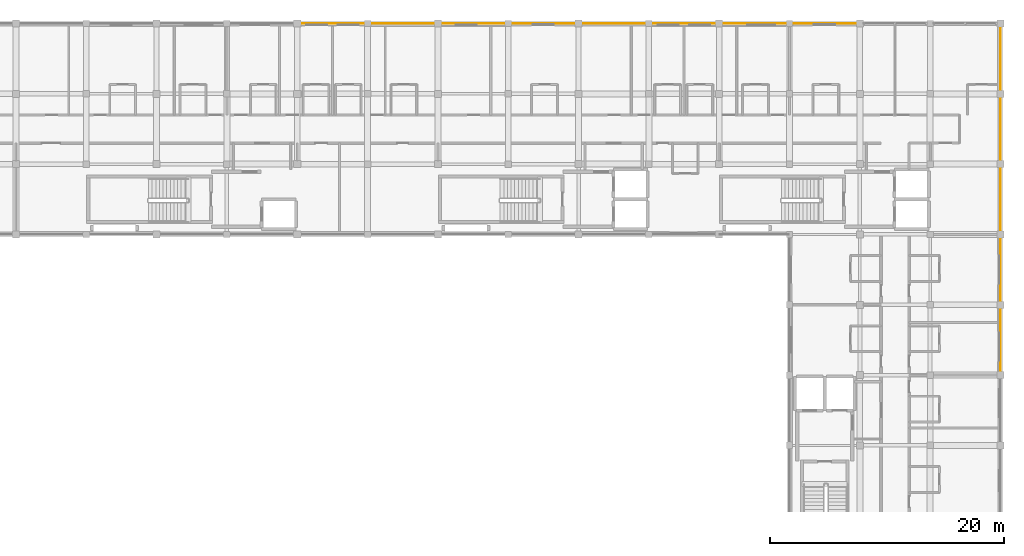
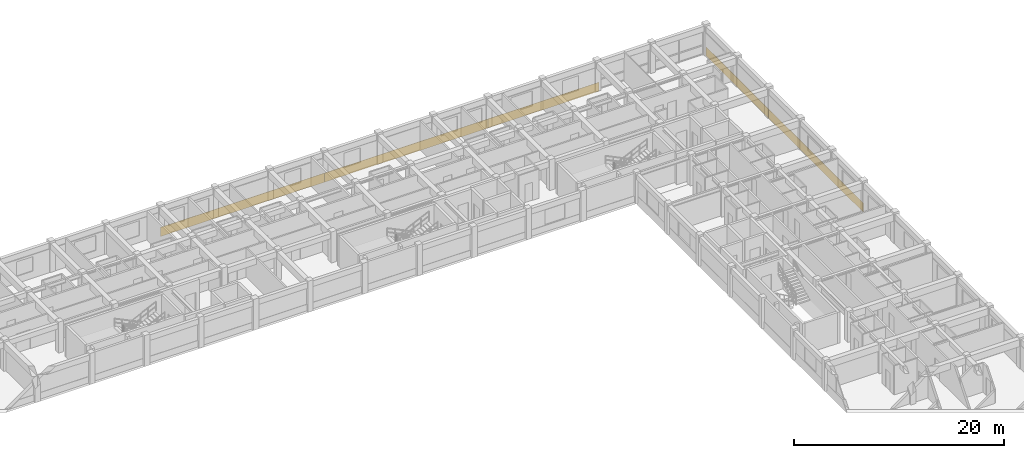
# One storey, part 25 of 25: 5 coverings.
"""IFC4 building model written with IfcOpenShell, lengths in metres."""

import ifcopenshell
import ifcopenshell.guid

model = None  # the IFC model being written
_history = None  # IfcOwnerHistory: only IFC2X3 demands one
_inside = {}  # id of a spatial element -> (the spatial element, [elements in it])
_under = {}  # id of a project, library or spatial element -> (it, [spatial elements below it])
_declared = {}  # id of a project -> (the project, [libraries it declares])
_typed = {}  # id of a type object -> (the type object, [elements of that type])
_made_of = {}  # id of a material, layer set ... -> (it, [elements and type objects made of it])


def new_model(schema):
    """Start an empty IFC model of exactly this schema.

    Asked for "IFC4X3", IfcOpenShell would pick the latest addendum, in which some entities
    have other attributes; the version numbers below select the first issue.
    IFC2X3 requires an IfcOwnerHistory on every rooted entity: one is made here for all.
    """
    global model, _history
    if schema == "IFC4X3":
        model = ifcopenshell.file(schema_version=(4, 3, 0, 0))
    else:
        model = ifcopenshell.file(schema=schema)
    _inside.clear()
    _under.clear()
    _declared.clear()
    _typed.clear()
    _made_of.clear()
    _history = None
    if model.schema == "IFC2X3":
        org = make("IfcOrganization", Name="unknown")
        user = make(
            "IfcPersonAndOrganization",
            ThePerson=make("IfcPerson", FamilyName="unknown"),
            TheOrganization=org,
        )
        app = make(
            "IfcApplication",
            ApplicationDeveloper=org,
            Version="unknown",
            ApplicationFullName="unknown",
            ApplicationIdentifier="unknown",
        )
        _history = make(
            "IfcOwnerHistory",
            OwningUser=user,
            OwningApplication=app,
            ChangeAction="ADDED",
            CreationDate=0,
        )
    return model


def make(cls, **values):
    """One entity of the class cls with the attributes given. An attribute that is None is left unset."""
    return model.create_entity(
        cls, **{name: value for name, value in values.items() if value is not None}
    )


def rooted(cls, **values):
    """An entity with a GlobalId (a new one), such as an element, a storey or a relation."""
    return make(cls, GlobalId=ifcopenshell.guid.new(), OwnerHistory=_history, **values)


def si_unit(unit_type, name, prefix=None):
    """IfcSIUnit, for example si_unit("LENGTHUNIT", "METRE", prefix="MILLI")."""
    return make("IfcSIUnit", UnitType=unit_type, Prefix=prefix, Name=name)


def assignment(units):
    """IfcUnitAssignment: the units of a project."""
    return None if units is None else make("IfcUnitAssignment", Units=units)


def point(xyz):
    """IfcCartesianPoint."""
    return None if xyz is None else make("IfcCartesianPoint", Coordinates=xyz)


def direction(xyz):
    """IfcDirection."""
    return None if xyz is None else make("IfcDirection", DirectionRatios=xyz)


def frame(location, z_axis=None, x_axis=None):
    """IfcAxis2Placement3D, a coordinate frame: its origin and axes. An axis left out is left unset."""
    return make(
        "IfcAxis2Placement3D",
        Location=point(location),
        Axis=direction(z_axis),
        RefDirection=direction(x_axis),
    )


def origin():
    """The frame at (0, 0, 0) with its axes left unset."""
    return frame((0.0, 0.0, 0.0))


def place(relative_to, where):
    """IfcLocalPlacement: puts the frame where relative to a parent placement (None: the world)."""
    return make(
        "IfcLocalPlacement", PlacementRelTo=relative_to, RelativePlacement=where
    )


def context(
    kind, dimensions, precision=None, world=None, true_north=None, identifier=None
):
    """IfcGeometricRepresentationContext, for example the 3D "Model" context."""
    return make(
        "IfcGeometricRepresentationContext",
        ContextIdentifier=identifier,
        ContextType=kind,
        CoordinateSpaceDimension=dimensions,
        Precision=precision,
        WorldCoordinateSystem=world,
        TrueNorth=true_north,
    )


def subcontext(parent, identifier, kind, view, scale=None):
    """IfcGeometricRepresentationSubContext, for example "Body" below "Model"."""
    return make(
        "IfcGeometricRepresentationSubContext",
        ContextIdentifier=identifier,
        ContextType=kind,
        ParentContext=parent,
        TargetScale=scale,
        TargetView=view,
    )


def project(units=None, contexts=None):
    """IfcProject with its units and contexts."""
    return rooted(
        "IfcProject",
        Name="project",
        RepresentationContexts=contexts,
        UnitsInContext=assignment(units),
    )


def spatial(cls, under=None, at=None, **own):
    """A site, building, storey or space (cls), placed at a placement, below another one or the project."""
    s = rooted(cls, ObjectPlacement=at, **own)
    if under is not None:
        _under.setdefault(under.id(), (under, []))[1].append(s)
    return s


def polyline(points):
    """IfcPolyline through the points."""
    return make("IfcPolyline", Points=[point(p) for p in points])


def outline(outer, holes=None, kind="AREA"):
    """IfcArbitraryClosedProfileDef: a profile drawn as a closed curve; with holes, ...WithVoids."""
    if holes is None:
        return make("IfcArbitraryClosedProfileDef", ProfileType=kind, OuterCurve=outer)
    return make(
        "IfcArbitraryProfileDefWithVoids",
        ProfileType=kind,
        OuterCurve=outer,
        InnerCurves=holes,
    )


def extrude(swept, where, along, depth):
    """IfcExtrudedAreaSolid: the profile swept, set in the frame where, extruded along a direction by depth."""
    return make(
        "IfcExtrudedAreaSolid",
        SweptArea=swept,
        Position=where,
        ExtrudedDirection=direction(along),
        Depth=depth,
    )


def shape(context_of_items, identifier, shape_type, items):
    """IfcShapeRepresentation: the items that make up one representation, for example the "Body"."""
    return make(
        "IfcShapeRepresentation",
        ContextOfItems=context_of_items,
        RepresentationIdentifier=identifier,
        RepresentationType=shape_type,
        Items=items,
    )


def material(Name=None, Category=None):
    """IfcMaterial."""
    return make("IfcMaterial", Name=Name, Category=Category)


def layer(
    of_material, thickness, ventilated=None, Name=None, Category=None, Priority=None
):
    """IfcMaterialLayer: one layer of a wall or slab, of a material (None: an air gap)."""
    return make(
        "IfcMaterialLayer",
        Material=of_material,
        LayerThickness=thickness,
        IsVentilated=ventilated,
        Name=Name,
        Category=Category,
        Priority=Priority,
    )


def layer_set(layers, Name=None):
    """IfcMaterialLayerSet."""
    return make("IfcMaterialLayerSet", MaterialLayers=layers, LayerSetName=Name)


def made_of(thing, what):
    """Note that an element or type object is made of a material, layer set ...; save() writes the relation."""
    if what is not None:
        _made_of.setdefault(what.id(), (what, []))[1].append(thing)
    return thing


def type_object(cls, material=None, **own):
    """A type object (cls), such as IfcWallType, which elements share."""
    return made_of(rooted(cls, **own), material)


def element(
    cls,
    number,
    at=None,
    inside=None,
    cuts=None,
    type_object=None,
    material=None,
    context=None,
    identifier="Body",
    shape_type=None,
    held_by="IfcProductDefinitionShape",
    body=None,
    shapes=None,
    **own,
):
    """One element of the class cls, such as IfcWall. Its Tag is "e" and its number.

    at: its placement. inside: the storey or other place that contains it. cuts: it is an
    opening in that element (IfcRelVoidsElement). A single representation is given by context,
    identifier, shape_type and body (its items); several are given by shapes. held_by: the class
    of the entity that holds the representations. save() writes the other relations.
    """
    e = rooted(cls, Tag="e%d" % number, ObjectPlacement=at, **own)
    if body is not None:
        shapes = [shape(context, identifier, shape_type, body)]
    if shapes is not None:
        e.Representation = make(held_by, Representations=shapes)
    if inside is not None:
        _inside.setdefault(inside.id(), (inside, []))[1].append(e)
    if cuts is not None:
        rooted(
            "IfcRelVoidsElement", RelatingBuildingElement=cuts, RelatedOpeningElement=e
        )
    if type_object is not None:
        _typed.setdefault(type_object.id(), (type_object, []))[1].append(e)
    return made_of(e, material)


def aggregate(whole, parts):
    """IfcRelAggregates: a whole, such as a stair, and the parts it consists of."""
    return rooted("IfcRelAggregates", RelatingObject=whole, RelatedObjects=parts)


def save(model, path):
    """Write the relations noted so far, then the file.

    IfcRelAggregates (storeys below a building ...), IfcRelContainedInSpatialStructure (elements
    in a storey), IfcRelDefinesByType, IfcRelAssociatesMaterial and IfcRelDeclares: one each for
    every whole, place, type object, material and project.
    """
    for whole, parts in _under.values():
        aggregate(whole, parts)
    for where, things in _inside.values():
        rooted(
            "IfcRelContainedInSpatialStructure",
            RelatedElements=things,
            RelatingStructure=where,
        )
    for kind, things in _typed.values():
        rooted("IfcRelDefinesByType", RelatedObjects=things, RelatingType=kind)
    for what, things in _made_of.values():
        rooted("IfcRelAssociatesMaterial", RelatedObjects=things, RelatingMaterial=what)
    for by, libraries in _declared.values():
        rooted("IfcRelDeclares", RelatingContext=by, RelatedDefinitions=libraries)
    model.write(path)


model = new_model("IFC4")

# Units and contexts
model_context = context("Model", 3, precision=1e-05, world=origin(), true_north=direction((0.0, 1.0)))
body_context = subcontext(model_context, "Body", "Model", "MODEL_VIEW")
ifc_project = project(units=[si_unit("LENGTHUNIT", "METRE"), si_unit("AREAUNIT", "SQUARE_METRE"), si_unit("VOLUMEUNIT", "CUBIC_METRE"), si_unit("PLANEANGLEUNIT", "RADIAN"), si_unit("MASSUNIT", "GRAM", prefix="KILO"), si_unit("THERMODYNAMICTEMPERATUREUNIT", "KELVIN"), si_unit("POWERUNIT", "WATT")], contexts=[model_context])

# Site, building, storey
site_placement = place(None, origin())
site = spatial("IfcSite", under=ifc_project, at=site_placement, CompositionType="ELEMENT")
building_placement = place(site_placement, origin())
building = spatial("IfcBuilding", under=site, at=building_placement, Name="Phaisarnlok Congress Hotel", CompositionType="ELEMENT")
storey_placement = place(building_placement, frame((0.0, 0.0, 24.60009765625)))
storey = spatial("IfcBuildingStorey", under=building, at=storey_placement, Name="L05", CompositionType="ELEMENT", Elevation=24.60009765625)

# Coverings
ifc_material = material(Name="Anodised Silver Aluminium Alloy 6063-T6", Category="aluminium")
ifc_layer = layer(ifc_material, 0.031982421875, Name="Anodised Silver Aluminium Alloy 6063-T6")
ifc_layer_set = layer_set([ifc_layer], Name="Anodised Silver Aluminium Alloy 6063-T6")
covering_type = type_object("IfcCoveringType", Name="COV-SPAND-ALU", PredefinedType="CLADDING", material=ifc_layer_set)
for number, where, z_axis, x_axis, name in (
    (1, (138.06005859375, 125.9951171875, -0.280029296875), (0.0, 1.0, 0.0), (-1.0, 0.0, 0.0), "Swiss minimalist anodised silver rainscreen band CL-02 (L05 N)"),
    (2, (156.06005859375, 125.9951171875, -0.280029296875), (0.0, 1.0, 0.0), (-1.0, 0.0, 0.0), "Swiss minimalist anodised silver rainscreen band CL-02 (L05 N)"),
):
    element("IfcCovering", number, at=place(storey_placement, frame(where, z_axis=z_axis, x_axis=x_axis)), inside=storey, type_object=covering_type, Name=name, PredefinedType="CLADDING", context=body_context, shape_type="SweptSolid", body=[
        extrude(outline(polyline([(0.0, 0.0), (18.0, 0.0), (18.0, 1.050048828125), (0.0, 1.050048828125), (0.0, 0.0)])), origin(), (0.0, 0.0, 1.0), 0.031982421875),
    ])
covering_1_placement = place(storey_placement, frame((168.22509765625, 125.9951171875, -0.280029296875), z_axis=(0.0, 1.0, 0.0), x_axis=(-1.0, 0.0, 0.0)))
element("IfcCovering", 3, at=covering_1_placement, inside=storey, type_object=covering_type, Name="Swiss minimalist anodised silver rainscreen band CL-02 (L05 N)", PredefinedType="CLADDING", context=body_context, shape_type="SweptSolid", body=[
    extrude(outline(polyline([(0.0, 0.0), (12.1650390625, 0.0), (12.1650390625, 1.050048828125), (0.0, 1.050048828125), (0.0, 0.0)])), origin(), (0.0, 0.0, 1.0), 0.031982421875),
])
covering_2_placement = place(storey_placement, frame((179.9951171875, 96.06005859375, -0.280029296875), z_axis=(1.0, 0.0, 0.0), x_axis=(0.0, 1.0, 0.0)))
element("IfcCovering", 4, at=covering_2_placement, inside=storey, type_object=covering_type, Name="Swiss minimalist anodised silver rainscreen band CL-02 (L05 E)", PredefinedType="CLADDING", context=body_context, shape_type="SweptSolid", body=[
    extrude(outline(polyline([(0.0, 0.0), (18.0, 0.0), (18.0, 1.050048828125), (0.0, 1.050048828125), (0.0, 0.0)])), origin(), (0.0, 0.0, 1.0), 0.031982421875),
])
covering_3_placement = place(storey_placement, frame((179.9951171875, 114.06005859375, -0.280029296875), z_axis=(1.0, 0.0, 0.0), x_axis=(0.0, 1.0, 0.0)))
element("IfcCovering", 5, at=covering_3_placement, inside=storey, type_object=covering_type, Name="Swiss minimalist anodised silver rainscreen band CL-02 (L05 E)", PredefinedType="CLADDING", context=body_context, shape_type="SweptSolid", body=[
    extrude(outline(polyline([(0.0, 0.0), (11.8798828125, 0.0), (11.8798828125, 1.050048828125), (0.0, 1.050048828125), (0.0, 0.0)])), origin(), (0.0, 0.0, 1.0), 0.031982421875),
])

save(model, "model.ifc")
